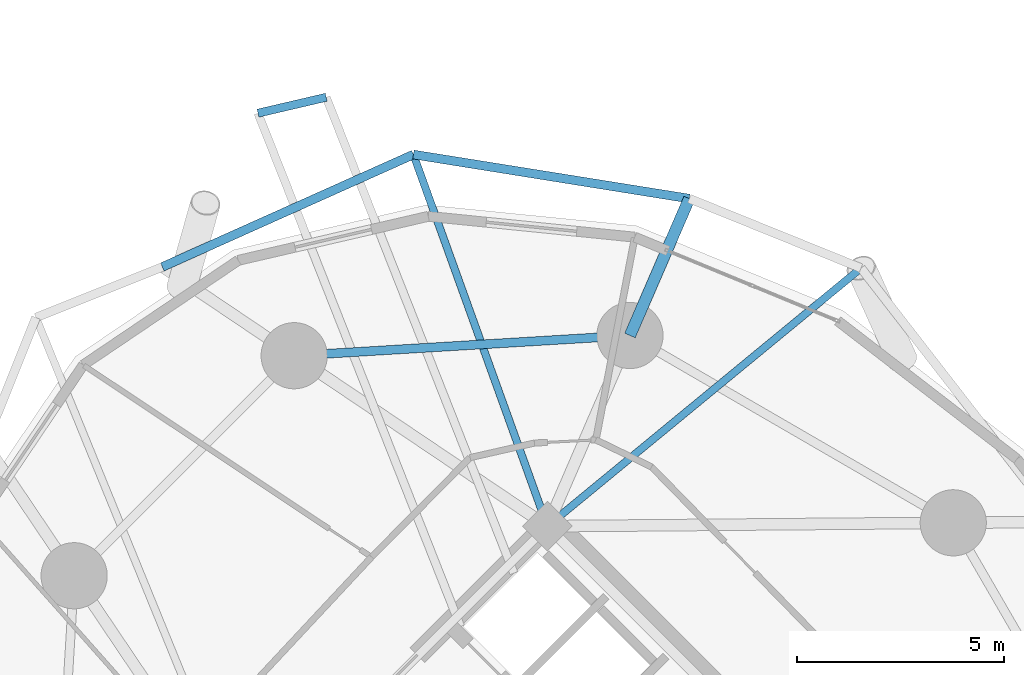
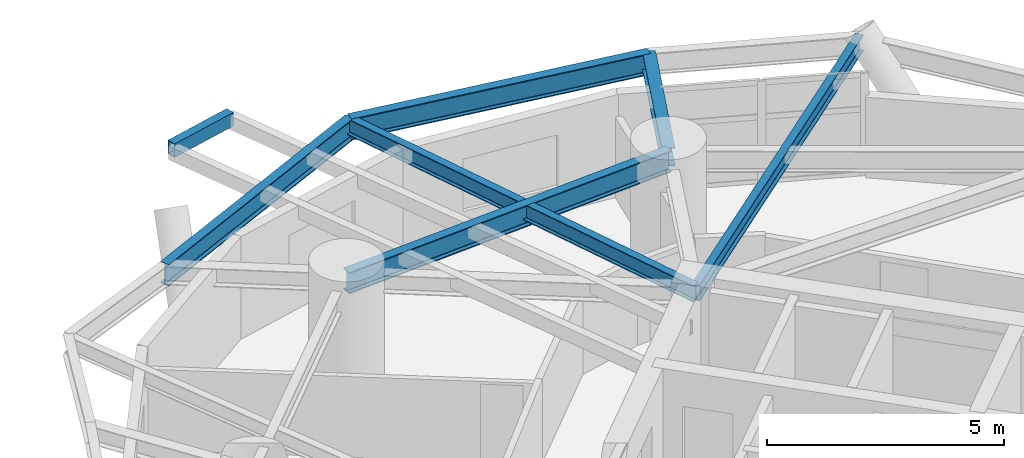
# One storey, part 6 of 17: 7 beams.
"""IFC4 building model written with IfcOpenShell, lengths in metres."""

from ifc_helpers import new_model, si_unit, direction, frame, origin, origin_2d, place, context, subcontext, project, spatial, hollow_rectangle, i_section, extrude, material, material_profile, profile_set, type_object, element, save


model = new_model("IFC4")

# Units and contexts
model_context = context("Model", 3, precision=1e-05, world=origin(), true_north=direction((0.0, 1.0)))
body_context = subcontext(model_context, "Body", "Model", "MODEL_VIEW")
ifc_project = project(units=[si_unit("LENGTHUNIT", "METRE"), si_unit("AREAUNIT", "SQUARE_METRE"), si_unit("VOLUMEUNIT", "CUBIC_METRE"), si_unit("PLANEANGLEUNIT", "RADIAN"), si_unit("MASSUNIT", "GRAM", prefix="KILO")], contexts=[model_context])

# Site, building, storey
site_placement = place(None, origin())
site = spatial("IfcSite", under=ifc_project, at=site_placement, CompositionType="ELEMENT")
building_placement = place(site_placement, origin())
building = spatial("IfcBuilding", under=site, at=building_placement, Name="Cununo Teusaquillo Station Towers", CompositionType="ELEMENT")
storey_placement = place(building_placement, frame((0.0, 0.0, 27.820068359375)))
storey = spatial("IfcBuildingStorey", under=building, at=storey_placement, Name="L07", CompositionType="ELEMENT", Elevation=27.820068359375)

# Beams
ifc_material_1 = material(Name="Steel ASTM A572 Grade 50", Category="steel")
ifc_material_profile_1 = material_profile(ifc_material_1, i_section(OverallWidth=0.180908203125, OverallDepth=0.4169921875, WebThickness=0.010986328125, FlangeThickness=0.018310546875, FilletRadius=0.012939453125, at=origin_2d()), Name="W16X57")
ifc_profile_set_1 = profile_set([ifc_material_profile_1], Name="Steel ASTM A572 Grade 50")
beam_type_1 = type_object("IfcBeamType", Name="BM-JOIST-1", PredefinedType="JOIST", material=ifc_profile_set_1)
beam_1_placement = place(storey_placement, frame((56.29443359375, 33.024169921875, 2.44140625), z_axis=(0.772192093976, 0.635389148475, 0.0), x_axis=(-0.635389148475, 0.772192093976, 0.0)))
element("IfcBeam", 1, at=beam_1_placement, inside=storey, type_object=beam_type_1, Name="L07 Tower B Radial Spandrel Joist V01", PredefinedType="JOIST", context=body_context, shape_type="SweptSolid", body=[
    extrude(i_section(OverallWidth=0.180908203125, OverallDepth=0.4169921875, WebThickness=0.010986328125, FlangeThickness=0.018310546875, FilletRadius=0.012939453125, at=origin_2d()), origin(), (0.0, 0.0, 1.0), 9.82080078125),
])
beam_2_placement = place(storey_placement, frame((56.29443359375, 33.024169921875, 2.44140625), z_axis=(-0.33906787056, 0.940761914171, 0.0), x_axis=(-0.940761914171, -0.33906787056, 0.0)))
element("IfcBeam", 2, at=beam_2_placement, inside=storey, type_object=beam_type_1, Name="L07 Tower B Radial Spandrel Joist V03", PredefinedType="JOIST", context=body_context, shape_type="SweptSolid", body=[
    extrude(i_section(OverallWidth=0.180908203125, OverallDepth=0.4169921875, WebThickness=0.010986328125, FlangeThickness=0.018310546875, FilletRadius=0.012939453125, at=origin_2d()), origin(), (0.0, 0.0, 1.0), 9.552734375),
])
ifc_material_2 = material(Name="Steel ASTM A572 Grade 50", Category="steel")
ifc_material_profile_2 = material_profile(ifc_material_2, i_section(OverallWidth=0.280029296875, OverallDepth=0.462890625, WebThickness=0.0107421875, FlangeThickness=0.017333984375, FilletRadius=0.013916015625, at=origin_2d()), Name="W18X76")
ifc_profile_set_2 = profile_set([ifc_material_profile_2], Name="Steel ASTM A572 Grade 50")
beam_type_2 = type_object("IfcBeamType", Name="BM-RAD-G1", PredefinedType="BEAM", material=ifc_profile_set_2)
beam_3_placement = place(storey_placement, frame((58.291015625, 37.63525390625, 2.41845703125), z_axis=(0.397396574727, 0.91764697046, 0.0), x_axis=(-0.91764697046, 0.397396574727, 0.0)))
element("IfcBeam", 3, at=beam_3_placement, inside=storey, type_object=beam_type_2, Name="L07 Tower B Perimeter Overhang Girder 02B", PredefinedType="BEAM", context=body_context, shape_type="SweptSolid", body=[
    extrude(i_section(OverallWidth=0.280029296875, OverallDepth=0.462890625, WebThickness=0.0107421875, FlangeThickness=0.017333984375, FilletRadius=0.013916015625, at=origin_2d()), origin(), (0.0, 0.0, 1.0), 3.60693359375),
])
ifc_material_3 = material(Name="Steel ASTM A572 Grade 50", Category="steel")
ifc_material_profile_3 = material_profile(ifc_material_3, i_section(OverallWidth=0.214111328125, OverallDepth=0.549072265625, WebThickness=0.0146484375, FlangeThickness=0.023681640625, FilletRadius=0.014892578125, at=origin_2d()), Name="W21X93")
ifc_profile_set_3 = profile_set([ifc_material_profile_3], Name="Steel ASTM A572 Grade 50")
beam_type_3 = type_object("IfcBeamType", Name="BM-RING-Z1", PredefinedType="SPANDREL", material=ifc_profile_set_3)
beam_4_placement = place(storey_placement, frame((58.291015625, 37.63525390625, 2.37548828125), z_axis=(-0.998190567048, -0.06012979176, 0.0), x_axis=(0.06012979176, -0.998190567048, 0.0)))
element("IfcBeam", 4, at=beam_4_placement, inside=storey, type_object=beam_type_3, Name="L07 Tower B Structural Column Ring Girder 02", PredefinedType="SPANDREL", context=body_context, shape_type="SweptSolid", body=[
    extrude(i_section(OverallWidth=0.214111328125, OverallDepth=0.549072265625, WebThickness=0.0146484375, FlangeThickness=0.023681640625, FilletRadius=0.014892578125, at=origin_2d()), origin(), (0.0, 0.0, 1.0), 8.132568359375),
])
beam_5_placement = place(storey_placement, frame((59.724365234375, 40.945068359375, 2.37548828125), z_axis=(-0.987466335344, 0.157829770834, 0.0), x_axis=(-0.157829770834, -0.987466335344, 0.0)))
element("IfcBeam", 5, at=beam_5_placement, inside=storey, type_object=beam_type_3, Name="L07 Tower B Spandrel Ring Beam 03", PredefinedType="SPANDREL", context=body_context, shape_type="SweptSolid", body=[
    extrude(i_section(OverallWidth=0.214111328125, OverallDepth=0.549072265625, WebThickness=0.0146484375, FlangeThickness=0.023681640625, FilletRadius=0.014892578125, at=origin_2d()), origin(), (0.0, 0.0, 1.0), 6.753662109375),
])
beam_6_placement = place(storey_placement, frame((53.055419921875, 42.010986328125, 2.37548828125), z_axis=(-0.912588695836, -0.408878798951, 0.0), x_axis=(0.408878798951, -0.912588695836, 0.0)))
element("IfcBeam", 6, at=beam_6_placement, inside=storey, type_object=beam_type_3, Name="L07 Tower B Spandrel Ring Beam 04", PredefinedType="SPANDREL", context=body_context, shape_type="SweptSolid", body=[
    extrude(i_section(OverallWidth=0.214111328125, OverallDepth=0.549072265625, WebThickness=0.0146484375, FlangeThickness=0.023681640625, FilletRadius=0.014892578125, at=origin_2d()), origin(), (0.0, 0.0, 1.0), 6.64990234375),
])
ifc_material_4 = material(Name="Steel EN 10025-2 S355J2", Category="steel")
ifc_material_profile_4 = material_profile(ifc_material_4, hollow_rectangle(XDim=0.199951171875, YDim=0.35009765625, WallThickness=0.013916015625, at=origin_2d()), Name="RHS 350x200x14")
ifc_profile_set_4 = profile_set([ifc_material_profile_4], Name="Steel EN 10025-2 S355J2")
beam_type_4 = type_object("IfcBeamType", Name="BM-STAIR-TRIM", PredefinedType="BEAM", material=ifc_profile_set_4)
beam_7_placement = place(storey_placement, frame((50.947021484375, 43.394775390625, 2.52490234375), z_axis=(-0.973831635582, -0.227270643814, 0.0), x_axis=(0.227270643814, -0.973831635582, 0.0)))
element("IfcBeam", 7, at=beam_7_placement, inside=storey, type_object=beam_type_4, Name="L07 Tower B Balcony Edge Trimmer Beam 1", PredefinedType="BEAM", context=body_context, shape_type="SweptSolid", body=[
    extrude(hollow_rectangle(XDim=0.199951171875, YDim=0.35009765625, WallThickness=0.013916015625, at=origin_2d()), origin(), (0.0, 0.0, 1.0), 1.69287109375),
])

save(model, "model.ifc")
